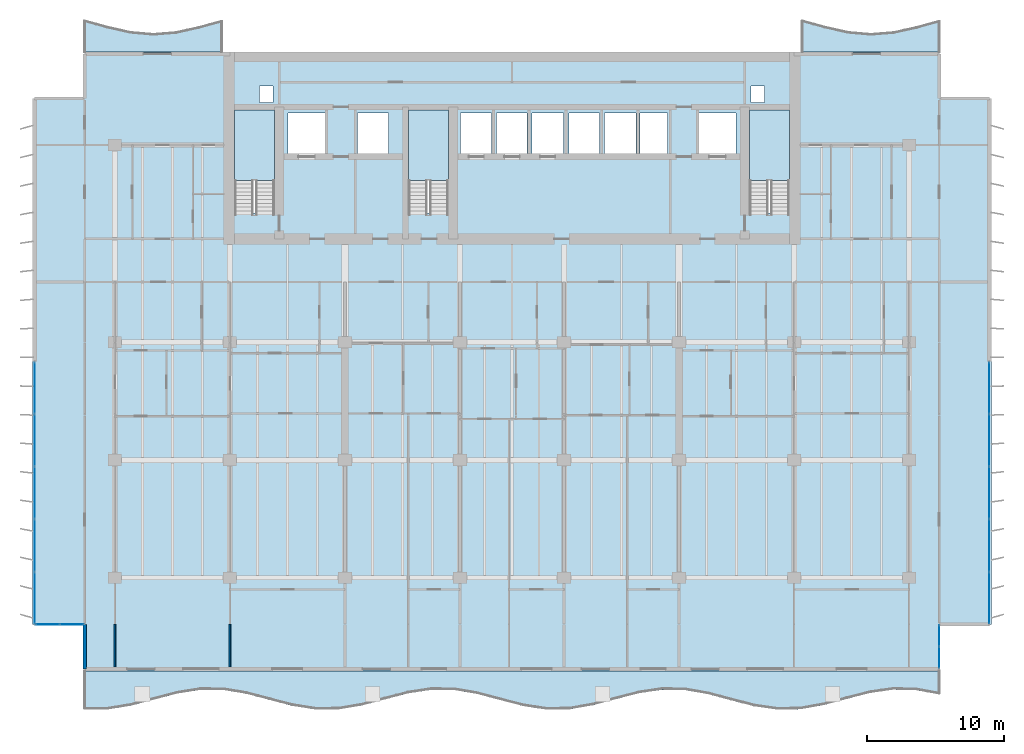
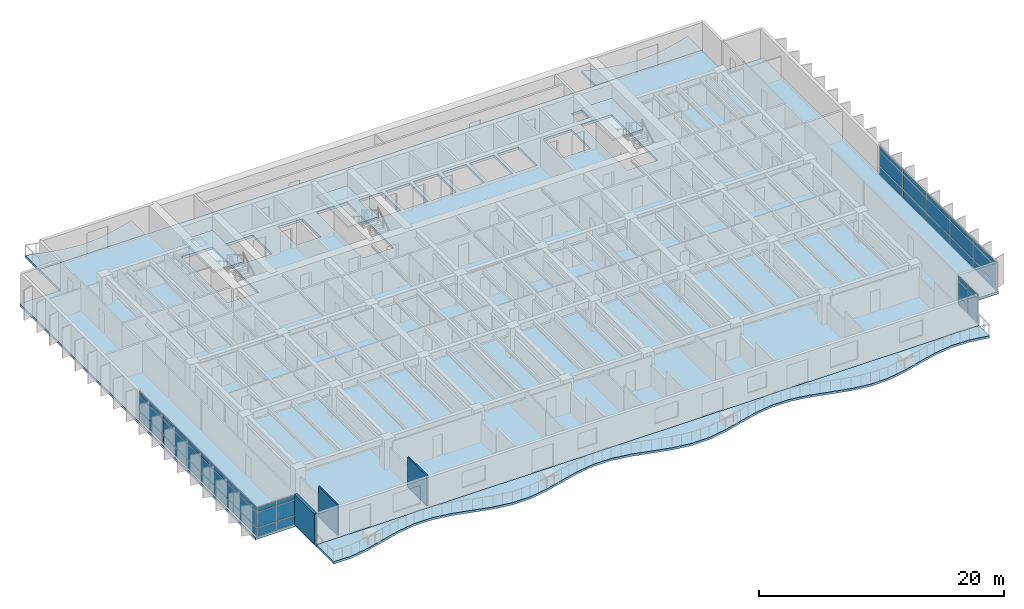
# One storey, part 5 of 19: 42 plates, 7 slabs, 3 walls, 7 elements without a shape of their own.
"""IFC4 building model written with IfcOpenShell, lengths in metres."""

from ifc_helpers import new_model, si_unit, direction, frame, frame_2d, origin, origin_2d, place, context, subcontext, project, spatial, polyline, rectangle, outline, extrude, material, layer, layer_set, type_object, element, aggregate, save


model = new_model("IFC4")

# Units and contexts
model_context = context("Model", 3, precision=1e-05, world=origin(), true_north=direction((0.0, 1.0)))
body_context = subcontext(model_context, "Body", "Model", "MODEL_VIEW")
ifc_project = project(units=[si_unit("LENGTHUNIT", "METRE"), si_unit("AREAUNIT", "SQUARE_METRE"), si_unit("VOLUMEUNIT", "CUBIC_METRE"), si_unit("PLANEANGLEUNIT", "RADIAN"), si_unit("MASSUNIT", "GRAM", prefix="KILO")], contexts=[model_context])

# Site, building, storey
site_placement = place(None, origin())
site = spatial("IfcSite", under=ifc_project, at=site_placement, CompositionType="ELEMENT")
building_placement = place(site_placement, origin())
building = spatial("IfcBuilding", under=site, at=building_placement, Name="Caelmar Bay Residences", CompositionType="ELEMENT")
storey_placement = place(building_placement, frame((0.0, 0.0, 94.5)))
storey = spatial("IfcBuildingStorey", under=building, at=storey_placement, Name="L25", CompositionType="ELEMENT", Elevation=94.5)

# Curtain wall, plates
ifc_material_1 = material(Name="Anodised bronze aluminium 6063-T6 and laminated glass", Category="aluminium")
ifc_layer_1 = layer(ifc_material_1, 0.179931640625)
ifc_layer_set_1 = layer_set([ifc_layer_1], Name="Anodised bronze aluminium 6063-T6 and laminated glass")
curtain_wall_type_1 = type_object("IfcCurtainWallType", Name="CW6-NTC", PredefinedType="NOTDEFINED", material=ifc_layer_set_1)
curtain_wall_1_placement = place(storey_placement, origin())
curtain_wall_1 = element("IfcCurtainWall", 1, at=curtain_wall_1_placement, inside=storey, type_object=curtain_wall_type_1, Name="CW6 curtain wall L25", PredefinedType="NOTDEFINED")
ifc_material_2 = material(Name="Bronze-tinted laminated low-E hurricane glass 28 mm", Category="glass")
ifc_layer_2 = layer(ifc_material_2, 0.028076171875)
ifc_layer_set_2 = layer_set([ifc_layer_2], Name="Bronze-tinted laminated low-E hurricane glass 28 mm")
plate_type = type_object("IfcPlateType", Name="CWP-GLZ28", PredefinedType="CURTAIN_PANEL", material=ifc_layer_set_2)
plate_1_placement = place(storey_placement, frame((4.982421875, 8.800048828125, 0.080078125), z_axis=(0.0, 0.0, 1.0), x_axis=(1.0, 0.0, 0.0)))
plate_1 = element("IfcPlate", 2, at=plate_1_placement, type_object=plate_type, Name="CW6 panel 1.1", PredefinedType="CURTAIN_PANEL", context=body_context, shape_type="SweptSolid", body=[
    extrude(rectangle(XDim=1.705078125, YDim=0.028076171875, at=origin_2d()), origin(), (0.0, 0.0, 1.0), 0.780029296875),
])
plate_2_placement = place(storey_placement, frame((4.982421875, 8.800048828125, 0.93994140625), z_axis=(0.0, 0.0, 1.0), x_axis=(1.0, 0.0, 0.0)))
plate_2 = element("IfcPlate", 3, at=plate_2_placement, type_object=plate_type, Name="CW6 panel 1.2", PredefinedType="CURTAIN_PANEL", context=body_context, shape_type="SweptSolid", body=[
    extrude(rectangle(XDim=1.705078125, YDim=0.028076171875, at=origin_2d()), origin(), (0.0, 0.0, 1.0), 1.469970703125),
])
plate_3_placement = place(storey_placement, frame((4.982421875, 8.800048828125, 2.490234375), z_axis=(0.0, 0.0, 1.0), x_axis=(1.0, 0.0, 0.0)))
plate_3 = element("IfcPlate", 4, at=plate_3_placement, type_object=plate_type, Name="CW6 panel 1.3", PredefinedType="CURTAIN_PANEL", context=body_context, shape_type="SweptSolid", body=[
    extrude(rectangle(XDim=1.705078125, YDim=0.028076171875, at=origin_2d()), origin(), (0.0, 0.0, 1.0), 0.429931640625),
])
plate_4_placement = place(storey_placement, frame((6.767578125, 8.800048828125, 0.080078125), z_axis=(0.0, 0.0, 1.0), x_axis=(1.0, 0.0, 0.0)))
plate_4 = element("IfcPlate", 5, at=plate_4_placement, type_object=plate_type, Name="CW6 panel 2.1", PredefinedType="CURTAIN_PANEL", context=body_context, shape_type="SweptSolid", body=[
    extrude(rectangle(XDim=1.705078125, YDim=0.028076171875, at=origin_2d()), origin(), (0.0, 0.0, 1.0), 0.780029296875),
])
plate_5_placement = place(storey_placement, frame((6.767578125, 8.800048828125, 0.93994140625), z_axis=(0.0, 0.0, 1.0), x_axis=(1.0, 0.0, 0.0)))
plate_5 = element("IfcPlate", 6, at=plate_5_placement, type_object=plate_type, Name="CW6 panel 2.2", PredefinedType="CURTAIN_PANEL", context=body_context, shape_type="SweptSolid", body=[
    extrude(rectangle(XDim=1.705078125, YDim=0.028076171875, at=origin_2d()), origin(), (0.0, 0.0, 1.0), 1.469970703125),
])
plate_6_placement = place(storey_placement, frame((6.767578125, 8.800048828125, 2.490234375), z_axis=(0.0, 0.0, 1.0), x_axis=(1.0, 0.0, 0.0)))
plate_6 = element("IfcPlate", 7, at=plate_6_placement, type_object=plate_type, Name="CW6 panel 2.3", PredefinedType="CURTAIN_PANEL", context=body_context, shape_type="SweptSolid", body=[
    extrude(rectangle(XDim=1.705078125, YDim=0.028076171875, at=origin_2d()), origin(), (0.0, 0.0, 1.0), 0.429931640625),
])
aggregate(curtain_wall_1, [plate_1, plate_2, plate_3, plate_4, plate_5, plate_6])

curtain_wall_2_placement = place(storey_placement, origin())
curtain_wall_2 = element("IfcCurtainWall", 8, at=curtain_wall_2_placement, inside=storey, type_object=curtain_wall_type_1, Name="CW6 curtain wall L25", PredefinedType="NOTDEFINED")
plate_7_placement = place(storey_placement, frame((70.10009765625, 6.382568359375, 0.080078125), z_axis=(0.0, 0.0, 1.0), x_axis=(0.0, 1.0, 0.0)))
plate_7 = element("IfcPlate", 9, at=plate_7_placement, type_object=plate_type, Name="CW6 panel 1.1", PredefinedType="CURTAIN_PANEL", context=body_context, shape_type="SweptSolid", body=[
    extrude(rectangle(XDim=1.5048828125, YDim=0.028076171875, at=origin_2d()), origin(), (0.0, 0.0, 1.0), 0.780029296875),
])
plate_8_placement = place(storey_placement, frame((70.10009765625, 6.382568359375, 0.93994140625), z_axis=(0.0, 0.0, 1.0), x_axis=(0.0, 1.0, 0.0)))
plate_8 = element("IfcPlate", 10, at=plate_8_placement, type_object=plate_type, Name="CW6 panel 1.2", PredefinedType="CURTAIN_PANEL", context=body_context, shape_type="SweptSolid", body=[
    extrude(rectangle(XDim=1.5048828125, YDim=0.028076171875, at=origin_2d()), origin(), (0.0, 0.0, 1.0), 1.469970703125),
])
plate_9_placement = place(storey_placement, frame((70.10009765625, 6.382568359375, 2.490234375), z_axis=(0.0, 0.0, 1.0), x_axis=(0.0, 1.0, 0.0)))
plate_9 = element("IfcPlate", 11, at=plate_9_placement, type_object=plate_type, Name="CW6 panel 1.3", PredefinedType="CURTAIN_PANEL", context=body_context, shape_type="SweptSolid", body=[
    extrude(rectangle(XDim=1.5048828125, YDim=0.028076171875, at=origin_2d()), origin(), (0.0, 0.0, 1.0), 0.429931640625),
])
plate_10_placement = place(storey_placement, frame((70.10009765625, 7.967529296875, 0.080078125), z_axis=(0.0, 0.0, 1.0), x_axis=(0.0, 1.0, 0.0)))
plate_10 = element("IfcPlate", 12, at=plate_10_placement, type_object=plate_type, Name="CW6 panel 2.1", PredefinedType="CURTAIN_PANEL", context=body_context, shape_type="SweptSolid", body=[
    extrude(rectangle(XDim=1.5048828125, YDim=0.028076171875, at=origin_2d()), origin(), (0.0, 0.0, 1.0), 0.780029296875),
])
plate_11_placement = place(storey_placement, frame((70.10009765625, 7.967529296875, 0.93994140625), z_axis=(0.0, 0.0, 1.0), x_axis=(0.0, 1.0, 0.0)))
plate_11 = element("IfcPlate", 13, at=plate_11_placement, type_object=plate_type, Name="CW6 panel 2.2", PredefinedType="CURTAIN_PANEL", context=body_context, shape_type="SweptSolid", body=[
    extrude(rectangle(XDim=1.5048828125, YDim=0.028076171875, at=origin_2d()), origin(), (0.0, 0.0, 1.0), 1.469970703125),
])
plate_12_placement = place(storey_placement, frame((70.10009765625, 7.967529296875, 2.490234375), z_axis=(0.0, 0.0, 1.0), x_axis=(0.0, 1.0, 0.0)))
plate_12 = element("IfcPlate", 14, at=plate_12_placement, type_object=plate_type, Name="CW6 panel 2.3", PredefinedType="CURTAIN_PANEL", context=body_context, shape_type="SweptSolid", body=[
    extrude(rectangle(XDim=1.5048828125, YDim=0.028076171875, at=origin_2d()), origin(), (0.0, 0.0, 1.0), 0.429931640625),
])
aggregate(curtain_wall_2, [plate_7, plate_8, plate_9, plate_10, plate_11, plate_12])

ifc_layer_3 = layer(ifc_material_1, 0.179931640625)
ifc_layer_set_3 = layer_set([ifc_layer_3], Name="Anodised bronze aluminium 6063-T6 and laminated glass")
curtain_wall_type_2 = type_object("IfcCurtainWallType", Name="CW3-Z2", PredefinedType="NOTDEFINED", material=ifc_layer_set_3)
curtain_wall_3_placement = place(storey_placement, origin())
curtain_wall_3 = element("IfcCurtainWall", 15, at=curtain_wall_3_placement, inside=storey, type_object=curtain_wall_type_2, Name="CW3 curtain wall L25", PredefinedType="NOTDEFINED")
plate_13_placement = place(storey_placement, frame((4.050048828125, 10.739990234375, 0.080078125), z_axis=(0.0, 0.0, 1.0), x_axis=(0.0, 1.0, 0.0)))
plate_13 = element("IfcPlate", 16, at=plate_13_placement, type_object=plate_type, Name="CW3 panel 1.1", PredefinedType="CURTAIN_PANEL", context=body_context, shape_type="SweptSolid", body=[
    extrude(rectangle(XDim=3.719970703125, YDim=0.028076171875, at=origin_2d()), origin(), (0.0, 0.0, 1.0), 0.780029296875),
])
plate_14_placement = place(storey_placement, frame((4.050048828125, 10.739990234375, 0.93994140625), z_axis=(0.0, 0.0, 1.0), x_axis=(0.0, 1.0, 0.0)))
plate_14 = element("IfcPlate", 17, at=plate_14_placement, type_object=plate_type, Name="CW3 panel 1.2", PredefinedType="CURTAIN_PANEL", context=body_context, shape_type="SweptSolid", body=[
    extrude(rectangle(XDim=3.719970703125, YDim=0.028076171875, at=origin_2d()), origin(), (0.0, 0.0, 1.0), 1.469970703125),
])
plate_15_placement = place(storey_placement, frame((4.050048828125, 10.739990234375, 2.490234375), z_axis=(0.0, 0.0, 1.0), x_axis=(0.0, 1.0, 0.0)))
plate_15 = element("IfcPlate", 18, at=plate_15_placement, type_object=plate_type, Name="CW3 panel 1.3", PredefinedType="CURTAIN_PANEL", context=body_context, shape_type="SweptSolid", body=[
    extrude(rectangle(XDim=3.719970703125, YDim=0.028076171875, at=origin_2d()), origin(), (0.0, 0.0, 1.0), 0.429931640625),
])
plate_16_placement = place(storey_placement, frame((4.050048828125, 14.56005859375, 0.080078125), z_axis=(0.0, 0.0, 1.0), x_axis=(0.0, 1.0, 0.0)))
plate_16 = element("IfcPlate", 19, at=plate_16_placement, type_object=plate_type, Name="CW3 panel 2.1", PredefinedType="CURTAIN_PANEL", context=body_context, shape_type="SweptSolid", body=[
    extrude(rectangle(XDim=3.760009765625, YDim=0.028076171875, at=origin_2d()), origin(), (0.0, 0.0, 1.0), 0.780029296875),
])
plate_17_placement = place(storey_placement, frame((4.050048828125, 14.56005859375, 0.93994140625), z_axis=(0.0, 0.0, 1.0), x_axis=(0.0, 1.0, 0.0)))
plate_17 = element("IfcPlate", 20, at=plate_17_placement, type_object=plate_type, Name="CW3 panel 2.2", PredefinedType="CURTAIN_PANEL", context=body_context, shape_type="SweptSolid", body=[
    extrude(rectangle(XDim=3.760009765625, YDim=0.028076171875, at=origin_2d()), origin(), (0.0, 0.0, 1.0), 1.469970703125),
])
plate_18_placement = place(storey_placement, frame((4.050048828125, 14.56005859375, 2.490234375), z_axis=(0.0, 0.0, 1.0), x_axis=(0.0, 1.0, 0.0)))
plate_18 = element("IfcPlate", 21, at=plate_18_placement, type_object=plate_type, Name="CW3 panel 2.3", PredefinedType="CURTAIN_PANEL", context=body_context, shape_type="SweptSolid", body=[
    extrude(rectangle(XDim=3.760009765625, YDim=0.028076171875, at=origin_2d()), origin(), (0.0, 0.0, 1.0), 0.429931640625),
])
plate_19_placement = place(storey_placement, frame((4.050048828125, 18.39990234375, 0.080078125), z_axis=(0.0, 0.0, 1.0), x_axis=(0.0, 1.0, 0.0)))
plate_19 = element("IfcPlate", 22, at=plate_19_placement, type_object=plate_type, Name="CW3 panel 3.1", PredefinedType="CURTAIN_PANEL", context=body_context, shape_type="SweptSolid", body=[
    extrude(rectangle(XDim=3.760009765625, YDim=0.028076171875, at=origin_2d()), origin(), (0.0, 0.0, 1.0), 0.780029296875),
])
plate_20_placement = place(storey_placement, frame((4.050048828125, 18.39990234375, 0.93994140625), z_axis=(0.0, 0.0, 1.0), x_axis=(0.0, 1.0, 0.0)))
plate_20 = element("IfcPlate", 23, at=plate_20_placement, type_object=plate_type, Name="CW3 panel 3.2", PredefinedType="CURTAIN_PANEL", context=body_context, shape_type="SweptSolid", body=[
    extrude(rectangle(XDim=3.760009765625, YDim=0.028076171875, at=origin_2d()), origin(), (0.0, 0.0, 1.0), 1.469970703125),
])
plate_21_placement = place(storey_placement, frame((4.050048828125, 18.39990234375, 2.490234375), z_axis=(0.0, 0.0, 1.0), x_axis=(0.0, 1.0, 0.0)))
plate_21 = element("IfcPlate", 24, at=plate_21_placement, type_object=plate_type, Name="CW3 panel 3.3", PredefinedType="CURTAIN_PANEL", context=body_context, shape_type="SweptSolid", body=[
    extrude(rectangle(XDim=3.760009765625, YDim=0.028076171875, at=origin_2d()), origin(), (0.0, 0.0, 1.0), 0.429931640625),
])
plate_22_placement = place(storey_placement, frame((4.050048828125, 22.239990234375, 0.080078125), z_axis=(0.0, 0.0, 1.0), x_axis=(0.0, 1.0, 0.0)))
plate_22 = element("IfcPlate", 25, at=plate_22_placement, type_object=plate_type, Name="CW3 panel 4.1", PredefinedType="CURTAIN_PANEL", context=body_context, shape_type="SweptSolid", body=[
    extrude(rectangle(XDim=3.760009765625, YDim=0.028076171875, at=origin_2d()), origin(), (0.0, 0.0, 1.0), 0.780029296875),
])
plate_23_placement = place(storey_placement, frame((4.050048828125, 22.239990234375, 0.93994140625), z_axis=(0.0, 0.0, 1.0), x_axis=(0.0, 1.0, 0.0)))
plate_23 = element("IfcPlate", 26, at=plate_23_placement, type_object=plate_type, Name="CW3 panel 4.2", PredefinedType="CURTAIN_PANEL", context=body_context, shape_type="SweptSolid", body=[
    extrude(rectangle(XDim=3.760009765625, YDim=0.028076171875, at=origin_2d()), origin(), (0.0, 0.0, 1.0), 1.469970703125),
])
plate_24_placement = place(storey_placement, frame((4.050048828125, 22.239990234375, 2.490234375), z_axis=(0.0, 0.0, 1.0), x_axis=(0.0, 1.0, 0.0)))
plate_24 = element("IfcPlate", 27, at=plate_24_placement, type_object=plate_type, Name="CW3 panel 4.3", PredefinedType="CURTAIN_PANEL", context=body_context, shape_type="SweptSolid", body=[
    extrude(rectangle(XDim=3.760009765625, YDim=0.028076171875, at=origin_2d()), origin(), (0.0, 0.0, 1.0), 0.429931640625),
])
plate_25_placement = place(storey_placement, frame((4.050048828125, 26.06005859375, 0.080078125), z_axis=(0.0, 0.0, 1.0), x_axis=(0.0, 1.0, 0.0)))
plate_25 = element("IfcPlate", 28, at=plate_25_placement, type_object=plate_type, Name="CW3 panel 5.1", PredefinedType="CURTAIN_PANEL", context=body_context, shape_type="SweptSolid", body=[
    extrude(rectangle(XDim=3.719970703125, YDim=0.028076171875, at=origin_2d()), origin(), (0.0, 0.0, 1.0), 0.780029296875),
])
plate_26_placement = place(storey_placement, frame((4.050048828125, 26.06005859375, 0.93994140625), z_axis=(0.0, 0.0, 1.0), x_axis=(0.0, 1.0, 0.0)))
plate_26 = element("IfcPlate", 29, at=plate_26_placement, type_object=plate_type, Name="CW3 panel 5.2", PredefinedType="CURTAIN_PANEL", context=body_context, shape_type="SweptSolid", body=[
    extrude(rectangle(XDim=3.719970703125, YDim=0.028076171875, at=origin_2d()), origin(), (0.0, 0.0, 1.0), 1.469970703125),
])
plate_27_placement = place(storey_placement, frame((4.050048828125, 26.06005859375, 2.490234375), z_axis=(0.0, 0.0, 1.0), x_axis=(0.0, 1.0, 0.0)))
plate_27 = element("IfcPlate", 30, at=plate_27_placement, type_object=plate_type, Name="CW3 panel 5.3", PredefinedType="CURTAIN_PANEL", context=body_context, shape_type="SweptSolid", body=[
    extrude(rectangle(XDim=3.719970703125, YDim=0.028076171875, at=origin_2d()), origin(), (0.0, 0.0, 1.0), 0.429931640625),
])
aggregate(curtain_wall_3, [plate_13, plate_14, plate_15, plate_16, plate_17, plate_18, plate_19, plate_20, plate_21, plate_22, plate_23, plate_24, plate_25, plate_26, plate_27])

curtain_wall_4_placement = place(storey_placement, origin())
curtain_wall_4 = element("IfcCurtainWall", 31, at=curtain_wall_4_placement, inside=storey, type_object=curtain_wall_type_2, Name="CW3 curtain wall L25", PredefinedType="NOTDEFINED")
plate_28_placement = place(storey_placement, frame((73.75, 26.06005859375, 0.080078125), z_axis=(0.0, 0.0, 1.0), x_axis=(0.0, -1.0, 0.0)))
plate_28 = element("IfcPlate", 32, at=plate_28_placement, type_object=plate_type, Name="CW3 panel 1.1", PredefinedType="CURTAIN_PANEL", context=body_context, shape_type="SweptSolid", body=[
    extrude(rectangle(XDim=3.719970703125, YDim=0.028076171875, at=origin_2d()), origin(), (0.0, 0.0, 1.0), 0.780029296875),
])
plate_29_placement = place(storey_placement, frame((73.75, 26.06005859375, 0.93994140625), z_axis=(0.0, 0.0, 1.0), x_axis=(0.0, -1.0, 0.0)))
plate_29 = element("IfcPlate", 33, at=plate_29_placement, type_object=plate_type, Name="CW3 panel 1.2", PredefinedType="CURTAIN_PANEL", context=body_context, shape_type="SweptSolid", body=[
    extrude(rectangle(XDim=3.719970703125, YDim=0.028076171875, at=origin_2d()), origin(), (0.0, 0.0, 1.0), 1.469970703125),
])
plate_30_placement = place(storey_placement, frame((73.75, 26.06005859375, 2.490234375), z_axis=(0.0, 0.0, 1.0), x_axis=(0.0, -1.0, 0.0)))
plate_30 = element("IfcPlate", 34, at=plate_30_placement, type_object=plate_type, Name="CW3 panel 1.3", PredefinedType="CURTAIN_PANEL", context=body_context, shape_type="SweptSolid", body=[
    extrude(rectangle(XDim=3.719970703125, YDim=0.028076171875, at=origin_2d()), origin(), (0.0, 0.0, 1.0), 0.429931640625),
])
plate_31_placement = place(storey_placement, frame((73.75, 22.239990234375, 0.080078125), z_axis=(0.0, 0.0, 1.0), x_axis=(0.0, -1.0, 0.0)))
plate_31 = element("IfcPlate", 35, at=plate_31_placement, type_object=plate_type, Name="CW3 panel 2.1", PredefinedType="CURTAIN_PANEL", context=body_context, shape_type="SweptSolid", body=[
    extrude(rectangle(XDim=3.760009765625, YDim=0.028076171875, at=origin_2d()), origin(), (0.0, 0.0, 1.0), 0.780029296875),
])
plate_32_placement = place(storey_placement, frame((73.75, 22.239990234375, 0.93994140625), z_axis=(0.0, 0.0, 1.0), x_axis=(0.0, -1.0, 0.0)))
plate_32 = element("IfcPlate", 36, at=plate_32_placement, type_object=plate_type, Name="CW3 panel 2.2", PredefinedType="CURTAIN_PANEL", context=body_context, shape_type="SweptSolid", body=[
    extrude(rectangle(XDim=3.760009765625, YDim=0.028076171875, at=origin_2d()), origin(), (0.0, 0.0, 1.0), 1.469970703125),
])
plate_33_placement = place(storey_placement, frame((73.75, 22.239990234375, 2.490234375), z_axis=(0.0, 0.0, 1.0), x_axis=(0.0, -1.0, 0.0)))
plate_33 = element("IfcPlate", 37, at=plate_33_placement, type_object=plate_type, Name="CW3 panel 2.3", PredefinedType="CURTAIN_PANEL", context=body_context, shape_type="SweptSolid", body=[
    extrude(rectangle(XDim=3.760009765625, YDim=0.028076171875, at=origin_2d()), origin(), (0.0, 0.0, 1.0), 0.429931640625),
])
plate_34_placement = place(storey_placement, frame((73.75, 18.39990234375, 0.080078125), z_axis=(0.0, 0.0, 1.0), x_axis=(0.0, -1.0, 0.0)))
plate_34 = element("IfcPlate", 38, at=plate_34_placement, type_object=plate_type, Name="CW3 panel 3.1", PredefinedType="CURTAIN_PANEL", context=body_context, shape_type="SweptSolid", body=[
    extrude(rectangle(XDim=3.760009765625, YDim=0.028076171875, at=origin_2d()), origin(), (0.0, 0.0, 1.0), 0.780029296875),
])
plate_35_placement = place(storey_placement, frame((73.75, 18.39990234375, 0.93994140625), z_axis=(0.0, 0.0, 1.0), x_axis=(0.0, -1.0, 0.0)))
plate_35 = element("IfcPlate", 39, at=plate_35_placement, type_object=plate_type, Name="CW3 panel 3.2", PredefinedType="CURTAIN_PANEL", context=body_context, shape_type="SweptSolid", body=[
    extrude(rectangle(XDim=3.760009765625, YDim=0.028076171875, at=origin_2d()), origin(), (0.0, 0.0, 1.0), 1.469970703125),
])
plate_36_placement = place(storey_placement, frame((73.75, 18.39990234375, 2.490234375), z_axis=(0.0, 0.0, 1.0), x_axis=(0.0, -1.0, 0.0)))
plate_36 = element("IfcPlate", 40, at=plate_36_placement, type_object=plate_type, Name="CW3 panel 3.3", PredefinedType="CURTAIN_PANEL", context=body_context, shape_type="SweptSolid", body=[
    extrude(rectangle(XDim=3.760009765625, YDim=0.028076171875, at=origin_2d()), origin(), (0.0, 0.0, 1.0), 0.429931640625),
])
plate_37_placement = place(storey_placement, frame((73.75, 14.56005859375, 0.080078125), z_axis=(0.0, 0.0, 1.0), x_axis=(0.0, -1.0, 0.0)))
plate_37 = element("IfcPlate", 41, at=plate_37_placement, type_object=plate_type, Name="CW3 panel 4.1", PredefinedType="CURTAIN_PANEL", context=body_context, shape_type="SweptSolid", body=[
    extrude(rectangle(XDim=3.760009765625, YDim=0.028076171875, at=origin_2d()), origin(), (0.0, 0.0, 1.0), 0.780029296875),
])
plate_38_placement = place(storey_placement, frame((73.75, 14.56005859375, 0.93994140625), z_axis=(0.0, 0.0, 1.0), x_axis=(0.0, -1.0, 0.0)))
plate_38 = element("IfcPlate", 42, at=plate_38_placement, type_object=plate_type, Name="CW3 panel 4.2", PredefinedType="CURTAIN_PANEL", context=body_context, shape_type="SweptSolid", body=[
    extrude(rectangle(XDim=3.760009765625, YDim=0.028076171875, at=origin_2d()), origin(), (0.0, 0.0, 1.0), 1.469970703125),
])
plate_39_placement = place(storey_placement, frame((73.75, 14.56005859375, 2.490234375), z_axis=(0.0, 0.0, 1.0), x_axis=(0.0, -1.0, 0.0)))
plate_39 = element("IfcPlate", 43, at=plate_39_placement, type_object=plate_type, Name="CW3 panel 4.3", PredefinedType="CURTAIN_PANEL", context=body_context, shape_type="SweptSolid", body=[
    extrude(rectangle(XDim=3.760009765625, YDim=0.028076171875, at=origin_2d()), origin(), (0.0, 0.0, 1.0), 0.429931640625),
])
plate_40_placement = place(storey_placement, frame((73.75, 10.739990234375, 0.080078125), z_axis=(0.0, 0.0, 1.0), x_axis=(0.0, -1.0, 0.0)))
plate_40 = element("IfcPlate", 44, at=plate_40_placement, type_object=plate_type, Name="CW3 panel 5.1", PredefinedType="CURTAIN_PANEL", context=body_context, shape_type="SweptSolid", body=[
    extrude(rectangle(XDim=3.719970703125, YDim=0.028076171875, at=origin_2d()), origin(), (0.0, 0.0, 1.0), 0.780029296875),
])
plate_41_placement = place(storey_placement, frame((73.75, 10.739990234375, 0.93994140625), z_axis=(0.0, 0.0, 1.0), x_axis=(0.0, -1.0, 0.0)))
plate_41 = element("IfcPlate", 45, at=plate_41_placement, type_object=plate_type, Name="CW3 panel 5.2", PredefinedType="CURTAIN_PANEL", context=body_context, shape_type="SweptSolid", body=[
    extrude(rectangle(XDim=3.719970703125, YDim=0.028076171875, at=origin_2d()), origin(), (0.0, 0.0, 1.0), 1.469970703125),
])
plate_42_placement = place(storey_placement, frame((73.75, 10.739990234375, 2.490234375), z_axis=(0.0, 0.0, 1.0), x_axis=(0.0, -1.0, 0.0)))
plate_42 = element("IfcPlate", 46, at=plate_42_placement, type_object=plate_type, Name="CW3 panel 5.3", PredefinedType="CURTAIN_PANEL", context=body_context, shape_type="SweptSolid", body=[
    extrude(rectangle(XDim=3.719970703125, YDim=0.028076171875, at=origin_2d()), origin(), (0.0, 0.0, 1.0), 0.429931640625),
])
aggregate(curtain_wall_4, [plate_28, plate_29, plate_30, plate_31, plate_32, plate_33, plate_34, plate_35, plate_36, plate_37, plate_38, plate_39, plate_40, plate_41, plate_42])

# Slabs
ifc_material_3 = material(Name="Concrete f'c 40 MPa (6,000 psi)", Category="concrete")
ifc_layer_4 = layer(ifc_material_3, 0.219970703125)
ifc_layer_set_4 = layer_set([ifc_layer_4], Name="Concrete f'c 40 MPa (6,000 psi)")
slab_type_1 = type_object("IfcSlabType", Name="SLB-BAL-220", PredefinedType="FLOOR", material=ifc_layer_set_4)
slab_1_placement = place(storey_placement, frame((0.0, 0.0, -0.219970703125)))
element("IfcSlab", 47, at=slab_1_placement, inside=storey, type_object=slab_type_1, Name="L25 Sinusoidal Tree-Balcony Slab south", PredefinedType="FLOOR", context=body_context, shape_type="SweptSolid", body=[
    extrude(outline(polyline([(7.699951171875, 2.586669921875), (9.386474609375, 2.58740234375), (11.072998046875, 2.862060546875), (12.759521484375, 3.305419921875), (14.44580078125, 3.74658203125), (16.13232421875, 4.01611328125), (17.81884765625, 4.009765625), (19.50537109375, 3.73046875), (21.19189453125, 3.285400390625), (22.87841796875, 2.845947265625), (24.56494140625, 2.581298828125), (26.25146484375, 2.59326171875), (27.937744140625, 2.876953125), (29.624267578125, 3.323486328125), (31.310791015625, 3.76123046875), (32.997314453125, 4.021240234375), (34.683837890625, 4.00390625), (36.370361328125, 3.71533203125), (38.056884765625, 3.26708984375), (39.7431640625, 2.831787109375), (41.4296875, 2.576416015625), (43.1162109375, 2.599365234375), (44.802734375, 2.89208984375), (46.4892578125, 3.341796875), (48.17578125, 3.775390625), (49.8623046875, 4.02587890625), (51.548583984375, 3.997314453125), (53.235107421875, 3.7001953125), (54.921630859375, 3.2490234375), (56.608154296875, 2.817626953125), (58.294677734375, 2.57177734375), (59.981201171875, 2.606201171875), (61.66748046875, 2.90771484375), (63.35400390625, 3.360107421875), (65.04052734375, 3.789306640625), (66.72705078125, 4.030517578125), (68.41357421875, 3.990478515625), (70.10009765625, 3.684814453125), (70.10009765625, 5.39990234375), (7.699951171875, 5.39990234375), (7.699951171875, 2.586669921875)])), origin(), (0.0, 0.0, 1.0), 0.219970703125),
])
slab_2_placement = place(storey_placement, frame((0.0, 0.0, -0.219970703125)))
element("IfcSlab", 48, at=slab_2_placement, inside=storey, type_object=slab_type_1, Name="L25 Sinusoidal Tree-Balcony Slab north_west", PredefinedType="FLOOR", context=body_context, shape_type="SweptSolid", body=[
    extrude(outline(polyline([(7.699951171875, 50.60009765625), (17.699951171875, 50.60009765625), (17.699951171875, 52.910400390625), (16.033203125, 52.450439453125), (14.36669921875, 52.084716796875), (12.699951171875, 51.9501953125), (11.033203125, 52.09765625), (9.36669921875, 52.4716796875), (7.699951171875, 52.931884765625), (7.699951171875, 50.60009765625)])), origin(), (0.0, 0.0, 1.0), 0.219970703125),
])
slab_3_placement = place(storey_placement, frame((0.0, 0.0, -0.219970703125)))
element("IfcSlab", 49, at=slab_3_placement, inside=storey, type_object=slab_type_1, Name="L25 Sinusoidal Tree-Balcony Slab north_east", PredefinedType="FLOOR", context=body_context, shape_type="SweptSolid", body=[
    extrude(outline(polyline([(60.10009765625, 50.60009765625), (70.10009765625, 50.60009765625), (70.10009765625, 52.910400390625), (68.433349609375, 52.450439453125), (66.7666015625, 52.084716796875), (65.10009765625, 51.9501953125), (63.433349609375, 52.09765625), (61.7666015625, 52.4716796875), (60.10009765625, 52.931884765625), (60.10009765625, 50.60009765625)])), origin(), (0.0, 0.0, 1.0), 0.219970703125),
])

# Stair, slab
stair_type = type_object("IfcStairType", Name="ST-TYP-165", PredefinedType="HALF_TURN_STAIR", material=ifc_material_3)
stair_1_placement = place(storey_placement, origin())
stair_1 = element("IfcStair", 50, at=stair_1_placement, inside=storey, type_object=stair_type, Name="L25 West Smokeproof Exit Stair ST1", PredefinedType="HALF_TURN_STAIR")
ifc_layer_5 = layer(ifc_material_3, 0.199951171875)
ifc_layer_set_5 = layer_set([ifc_layer_5], Name="Concrete f'c 40 MPa (6,000 psi)")
slab_type_2 = type_object("IfcSlabType", Name="SLB-LND-200", PredefinedType="LANDING", material=ifc_layer_set_5)
slab_4_placement = place(storey_placement, frame((0.0, 0.0, 1.449951171875)))
slab_4 = element("IfcSlab", 51, at=slab_4_placement, type_object=slab_type_2, Name="ST1 landing 1", PredefinedType="LANDING", context=body_context, shape_type="SweptSolid", body=[
    extrude(outline(polyline([(21.550048828125, 41.219970703125), (21.550048828125, 46.35009765625), (18.64990234375, 46.35009765625), (18.64990234375, 41.219970703125), (21.550048828125, 41.219970703125)])), origin(), (0.0, 0.0, 1.0), 0.199951171875),
])
aggregate(stair_1, [slab_4])

stair_2_placement = place(storey_placement, origin())
stair_2 = element("IfcStair", 52, at=stair_2_placement, inside=storey, type_object=stair_type, Name="L25 East Smokeproof Exit Stair ST2", PredefinedType="HALF_TURN_STAIR")
slab_5_placement = place(storey_placement, frame((0.0, 0.0, 1.449951171875)))
slab_5 = element("IfcSlab", 53, at=slab_5_placement, type_object=slab_type_2, Name="ST2 landing 1", PredefinedType="LANDING", context=body_context, shape_type="SweptSolid", body=[
    extrude(outline(polyline([(59.14990234375, 41.219970703125), (59.14990234375, 46.35009765625), (56.25, 46.35009765625), (56.25, 41.219970703125), (59.14990234375, 41.219970703125)])), origin(), (0.0, 0.0, 1.0), 0.199951171875),
])
aggregate(stair_2, [slab_5])

stair_3_placement = place(storey_placement, origin())
stair_3 = element("IfcStair", 54, at=stair_3_placement, inside=storey, type_object=stair_type, Name="L25 Central Smokeproof Exit Stair ST3", PredefinedType="HALF_TURN_STAIR")
slab_6_placement = place(storey_placement, frame((0.0, 0.0, 1.449951171875)))
slab_6 = element("IfcSlab", 55, at=slab_6_placement, type_object=slab_type_2, Name="ST3 landing 1", PredefinedType="LANDING", context=body_context, shape_type="SweptSolid", body=[
    extrude(outline(polyline([(34.25, 41.219970703125), (34.25, 46.35009765625), (31.35009765625, 46.35009765625), (31.35009765625, 41.219970703125), (34.25, 41.219970703125)])), origin(), (0.0, 0.0, 1.0), 0.199951171875),
])
aggregate(stair_3, [slab_6])

# Slab
ifc_layer_6 = layer(ifc_material_3, 0.25)
ifc_layer_set_6 = layer_set([ifc_layer_6], Name="Concrete f'c 40 MPa (6,000 psi)")
slab_type_3 = type_object("IfcSlabType", Name="SLB-RES-250", PredefinedType="FLOOR", material=ifc_layer_set_6)
slab_7_placement = place(storey_placement, frame((0.0, 0.0, -0.25)))
element("IfcSlab", 56, at=slab_7_placement, inside=storey, type_object=slab_type_3, Name="L25 Structural Floor Slab", PredefinedType="FLOOR", context=body_context, shape_type="SweptSolid", body=[
    extrude(outline(polyline([(7.699951171875, 5.39990234375), (70.10009765625, 5.39990234375), (70.10009765625, 8.800048828125), (73.89990234375, 8.800048828125), (73.89990234375, 47.199951171875), (70.10009765625, 47.199951171875), (70.10009765625, 50.60009765625), (7.699951171875, 50.60009765625), (7.699951171875, 47.199951171875), (3.89990234375, 47.199951171875), (3.89990234375, 8.800048828125), (7.699951171875, 8.800048828125), (7.699951171875, 5.39990234375)]), holes=[polyline([(18.64990234375, 38.85009765625), (21.550048828125, 38.85009765625), (21.550048828125, 46.35009765625), (18.64990234375, 46.35009765625), (18.64990234375, 38.85009765625)]), polyline([(56.25, 38.85009765625), (59.14990234375, 38.85009765625), (59.14990234375, 46.35009765625), (56.25, 46.35009765625), (56.25, 38.85009765625)]), polyline([(31.35009765625, 38.85009765625), (34.25, 38.85009765625), (34.25, 46.35009765625), (31.35009765625, 46.35009765625), (31.35009765625, 38.85009765625)]), polyline([(22.550048828125, 43.050048828125), (25.25, 43.050048828125), (25.25, 46.14990234375), (22.550048828125, 46.14990234375), (22.550048828125, 43.050048828125)]), polyline([(52.550048828125, 43.050048828125), (55.25, 43.050048828125), (55.25, 46.14990234375), (52.550048828125, 46.14990234375), (52.550048828125, 43.050048828125)]), polyline([(35.14990234375, 43.14990234375), (37.39990234375, 43.14990234375), (37.39990234375, 46.14990234375), (35.14990234375, 46.14990234375), (35.14990234375, 43.14990234375)]), polyline([(37.75, 43.14990234375), (40.0, 43.14990234375), (40.0, 46.14990234375), (37.75, 46.14990234375), (37.75, 43.14990234375)]), polyline([(40.35009765625, 43.14990234375), (42.64990234375, 43.14990234375), (42.64990234375, 46.14990234375), (40.35009765625, 46.14990234375), (40.35009765625, 43.14990234375)]), polyline([(43.050048828125, 43.14990234375), (45.300048828125, 43.14990234375), (45.300048828125, 46.14990234375), (43.050048828125, 46.14990234375), (43.050048828125, 43.14990234375)]), polyline([(45.64990234375, 43.14990234375), (47.949951171875, 43.14990234375), (47.949951171875, 46.14990234375), (45.64990234375, 46.14990234375), (45.64990234375, 43.14990234375)]), polyline([(48.25, 43.14990234375), (50.25, 43.14990234375), (50.25, 46.14990234375), (48.25, 46.14990234375), (48.25, 43.14990234375)]), polyline([(27.60009765625, 43.14990234375), (29.89990234375, 43.14990234375), (29.89990234375, 46.14990234375), (27.60009765625, 46.14990234375), (27.60009765625, 43.14990234375)]), polyline([(20.449951171875, 46.89990234375), (21.449951171875, 46.89990234375), (21.449951171875, 48.10009765625), (20.449951171875, 48.10009765625), (20.449951171875, 46.89990234375)]), polyline([(56.35009765625, 46.89990234375), (57.35009765625, 46.89990234375), (57.35009765625, 48.10009765625), (56.35009765625, 48.10009765625), (56.35009765625, 46.89990234375)])]), origin(), (0.0, 0.0, 1.0), 0.25),
])

# Walls
ifc_material_4 = material(Name="Precast concrete f'c 40 MPa (6,000 psi)", Category="concrete")
ifc_layer_7 = layer(ifc_material_4, 0.25)
ifc_layer_set_7 = layer_set([ifc_layer_7], Name="Precast concrete f'c 40 MPa (6,000 psi)")
wall_type_1 = type_object("IfcWallType", Name="W-EXT-250", PredefinedType="ELEMENTEDWALL", material=ifc_layer_set_7)
wall_placement = place(storey_placement, frame((7.699951171875, 8.800048828125, 0.0), z_axis=(0.0, 0.0, 1.0), x_axis=(0.0, -1.0, 0.0)))
element("IfcWall", 57, at=wall_placement, inside=storey, type_object=wall_type_1, Name="L25 SW Notch Return Wall", PredefinedType="ELEMENTEDWALL", context=body_context, shape_type="SweptSolid", body=[
    extrude(rectangle(XDim=3.25, YDim=0.25, at=frame_2d((1.625, 0.0))), origin(), (0.0, 0.0, 1.0), 3.0),
])
ifc_material_5 = material(Name="Acoustic metal-stud gypsum partition 120 mm")
ifc_layer_8 = layer(ifc_material_5, 0.1201171875)
ifc_layer_set_8 = layer_set([ifc_layer_8], Name="Acoustic metal-stud gypsum partition 120 mm")
wall_type_2 = type_object("IfcWallType", Name="W-PRT-120", PredefinedType="PARTITIONING", material=ifc_layer_set_8)
for number, where, z_axis, x_axis, name in (
    (58, (9.89990234375, 5.695068359375, 0.0), (0.0, 0.0, 1.0), (0.0, 1.0, 0.0), "L25 Partition Wall V008"),
    (59, (18.300048828125, 5.695068359375, 0.0), (0.0, 0.0, 1.0), (0.0, 1.0, 0.0), "L25 Partition Wall V019"),
):
    element("IfcWall", number, at=place(storey_placement, frame(where, z_axis=z_axis, x_axis=x_axis)), inside=storey, type_object=wall_type_2, Name=name, PredefinedType="PARTITIONING", context=body_context, shape_type="SweptSolid", body=[
        extrude(rectangle(XDim=3.10498046875, YDim=0.1201171875, at=frame_2d((1.552490234375, 0.0))), origin(), (0.0, 0.0, 1.0), 3.0),
    ])

save(model, "model.ifc")
